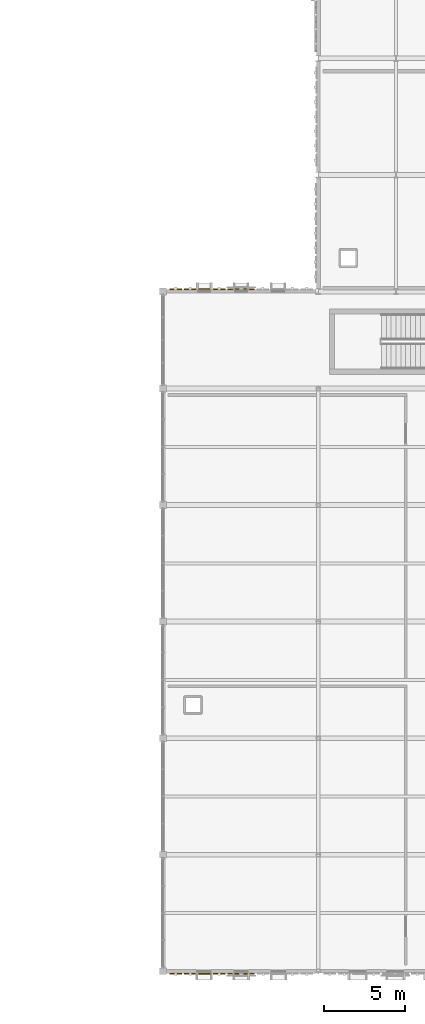
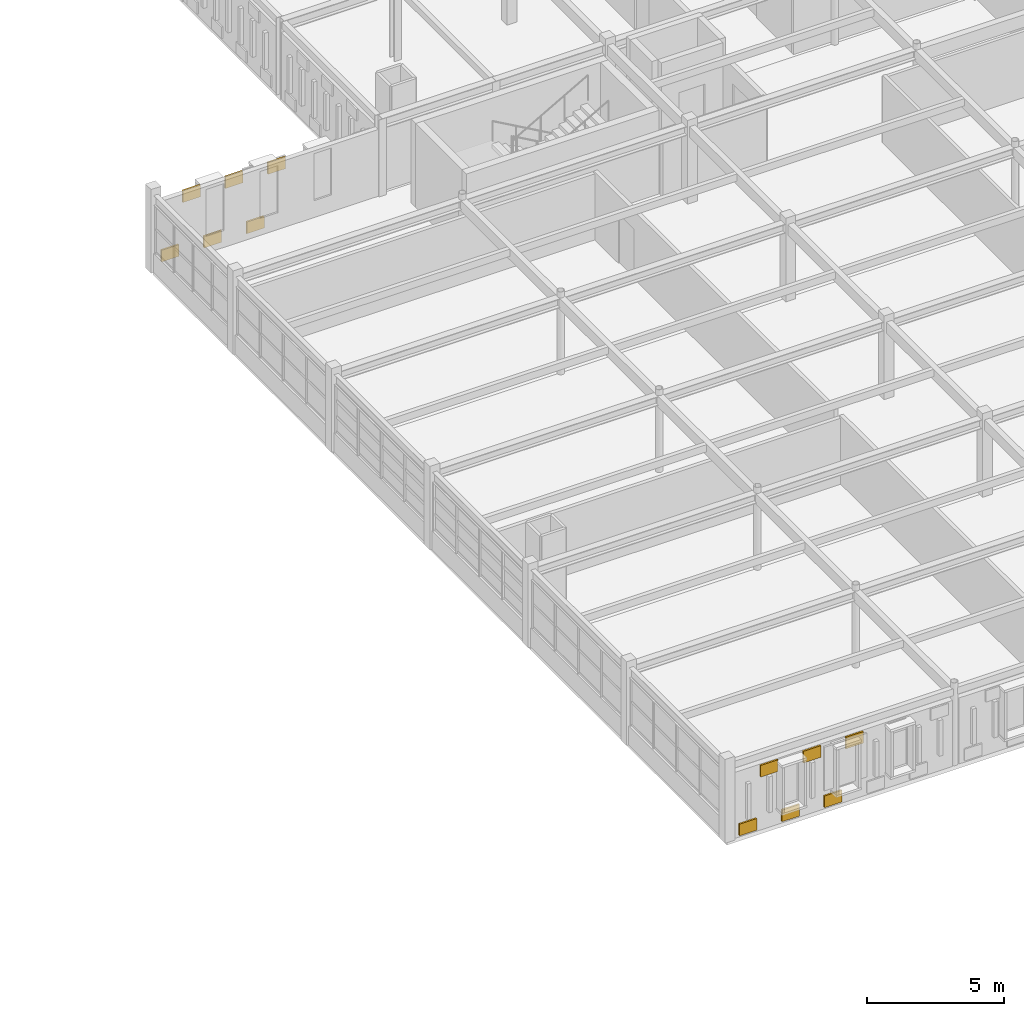
# One storey, part 44 of 46: 12 coverings.
"""IFC4 building model written with IfcOpenShell, lengths in metres."""

from ifc_helpers import new_model, si_unit, direction, frame, origin, origin_2d, place, context, subcontext, project, spatial, rectangle, extrude, material, layer, layer_set, type_object, element, save


model = new_model("IFC4")

# Units and contexts
model_context = context("Model", 3, precision=1e-05, world=origin(), true_north=direction((0.0, 1.0)))
body_context = subcontext(model_context, "Body", "Model", "MODEL_VIEW")
ifc_project = project(units=[si_unit("LENGTHUNIT", "METRE"), si_unit("AREAUNIT", "SQUARE_METRE"), si_unit("VOLUMEUNIT", "CUBIC_METRE"), si_unit("PLANEANGLEUNIT", "RADIAN"), si_unit("MASSUNIT", "GRAM", prefix="KILO")], contexts=[model_context])

# Site, building, storey
site_placement = place(None, origin())
site = spatial("IfcSite", under=ifc_project, at=site_placement, CompositionType="ELEMENT")
building_placement = place(site_placement, origin())
building = spatial("IfcBuilding", under=site, at=building_placement, Name="Nzembalo Square Collegiate School", CompositionType="ELEMENT")
storey_placement = place(building_placement, frame((0.0, 0.0, 17.340087890625)))
storey = spatial("IfcBuildingStorey", under=building, at=storey_placement, Name="L04", CompositionType="ELEMENT", Elevation=17.340087890625)

# Coverings
ifc_material = material(Name="Glazed cobalt ceramic patterned tile")
ifc_layer = layer(ifc_material, 0.074951171875, Name="Glazed cobalt ceramic patterned tile")
ifc_layer_set = layer_set([ifc_layer], Name="Glazed cobalt ceramic patterned tile")
covering_type = type_object("IfcCoveringType", Name="CL01", PredefinedType="CLADDING", material=ifc_layer_set)
for number, where, z_axis, x_axis, name in (
    (1, (131.580078125, 50.534912109375, 0.099853515625), (0.0, 0.0, 1.0), (1.0, 0.0, 0.0), "Patterned ceramic tile CL01-X0241-0-0"),
    (2, (132.47998046875, 50.534912109375, 2.43896484375), (0.0, 0.0, 1.0), (1.0, 0.0, 0.0), "Patterned ceramic tile CL01-X0241-1-1"),
    (3, (133.3798828125, 50.534912109375, 0.099853515625), (0.0, 0.0, 1.0), (1.0, 0.0, 0.0), "Patterned ceramic tile CL01-X0241-2-0"),
    (4, (134.280029296875, 50.534912109375, 2.43896484375), (0.0, 0.0, 1.0), (1.0, 0.0, 0.0), "Patterned ceramic tile CL01-X0241-3-1"),
    (5, (135.179931640625, 50.534912109375, 0.099853515625), (0.0, 0.0, 1.0), (1.0, 0.0, 0.0), "Patterned ceramic tile CL01-X0241-4-0"),
    (6, (136.080078125, 50.534912109375, 2.43896484375), (0.0, 0.0, 1.0), (1.0, 0.0, 0.0), "Patterned ceramic tile CL01-X0241-5-1"),
    (7, (131.586669921875, 8.25, 0.099853515625), (0.0, 0.0, 1.0), (1.0, 0.0, 0.0), "Patterned ceramic tile CL01-X0260-0-0"),
    (8, (132.48681640625, 8.25, 2.408935546875), (0.0, 0.0, 1.0), (1.0, 0.0, 0.0), "Patterned ceramic tile CL01-X0260-1-1"),
    (9, (133.38671875, 8.25, 0.099853515625), (0.0, 0.0, 1.0), (1.0, 0.0, 0.0), "Patterned ceramic tile CL01-X0260-2-0"),
    (10, (134.28662109375, 8.25, 2.408935546875), (0.0, 0.0, 1.0), (1.0, 0.0, 0.0), "Patterned ceramic tile CL01-X0260-3-1"),
    (11, (135.186767578125, 8.25, 0.099853515625), (0.0, 0.0, 1.0), (1.0, 0.0, 0.0), "Patterned ceramic tile CL01-X0260-4-0"),
    (12, (136.086669921875, 8.25, 2.408935546875), (0.0, 0.0, 1.0), (1.0, 0.0, 0.0), "Patterned ceramic tile CL01-X0260-5-1"),
):
    element("IfcCovering", number, at=place(storey_placement, frame(where, z_axis=z_axis, x_axis=x_axis)), inside=storey, type_object=covering_type, Name=name, PredefinedType="CLADDING", context=body_context, shape_type="SweptSolid", body=[
        extrude(rectangle(XDim=0.739990234375, YDim=0.074951171875, at=origin_2d()), origin(), (0.0, 0.0, 1.0), 0.52001953125),
    ])

save(model, "model.ifc")
